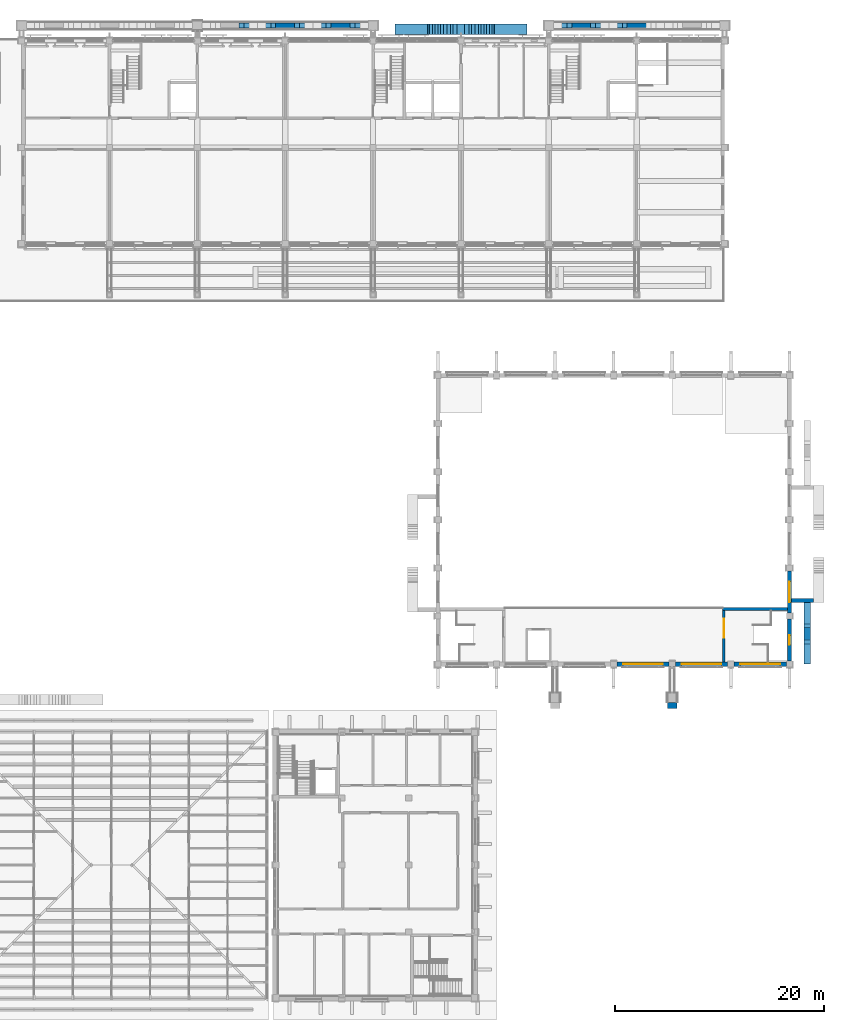
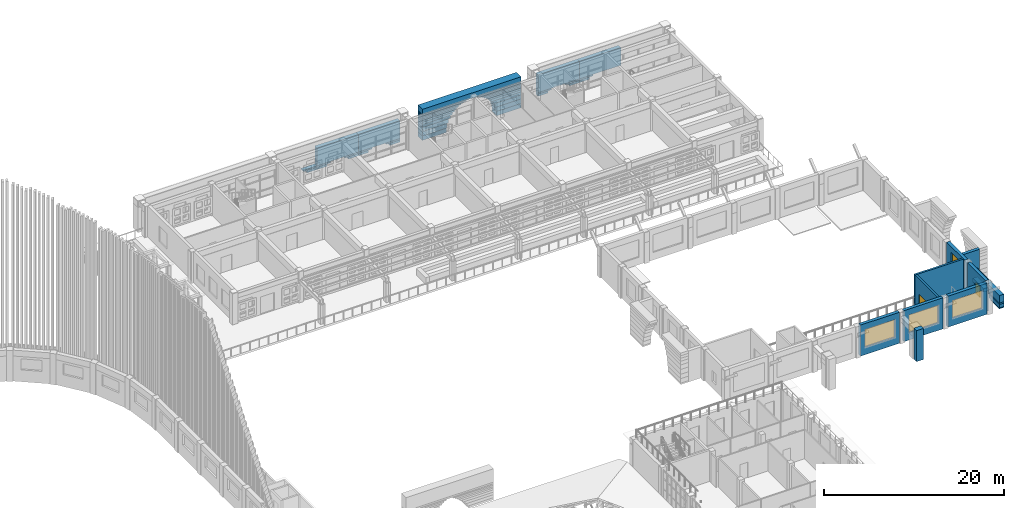
# One storey, part 31 of 68: 60 walls, 5 windows, 1 door, 6 openings.
"""IFC4 building model written with IfcOpenShell, lengths in metres."""

from ifc_helpers import new_model, si_unit, direction, frame, frame_2d, origin, place, context, subcontext, project, spatial, rectangle, extrude, material, layer, layer_set, type_object, element, fill, save


model = new_model("IFC4")

# Units and contexts
model_context = context("Model", 3, precision=1e-05, world=origin(), true_north=direction((0.0, 1.0)))
body_context = subcontext(model_context, "Body", "Model", "MODEL_VIEW")
ifc_project = project(units=[si_unit("LENGTHUNIT", "METRE"), si_unit("AREAUNIT", "SQUARE_METRE"), si_unit("VOLUMEUNIT", "CUBIC_METRE"), si_unit("PLANEANGLEUNIT", "RADIAN"), si_unit("MASSUNIT", "GRAM", prefix="KILO")], contexts=[model_context])

# Site, building, storey
site_placement = place(None, origin())
site = spatial("IfcSite", under=ifc_project, at=site_placement, CompositionType="ELEMENT")
building_placement = place(site_placement, origin())
building = spatial("IfcBuilding", under=site, at=building_placement, Name="Wasatch Bagh Community Centre", CompositionType="ELEMENT")
storey_placement = place(building_placement, frame((0.0, 0.0, 8.39990234375)))
storey = spatial("IfcBuildingStorey", under=building, at=storey_placement, Name="L02", CompositionType="ELEMENT", Elevation=8.39990234375)

# Walls
ifc_material_1 = material(Name="Concrete C40", Category="concrete")
ifc_layer_1 = layer(ifc_material_1, 0.60009765625)
ifc_layer_set_1 = layer_set([ifc_layer_1], Name="Concrete C40")
wall_type_1 = type_object("IfcWallType", Name="CL-W4", PredefinedType="STANDARD", material=ifc_layer_set_1)
wall_1_placement = place(storey_placement, frame((134.14990234375, 34.25, 0.0), z_axis=(0.0, 0.0, 1.0), x_axis=(1.0, 0.0, 0.0)))
element("IfcWall", 1, at=wall_1_placement, inside=storey, type_object=wall_type_1, Name="CL-W4 pier buttress SHP2", PredefinedType="STANDARD", context=body_context, shape_type="SweptSolid", body=[
    extrude(rectangle(XDim=0.900146484375, YDim=0.60009765625, at=frame_2d((0.4501953125, 0.0))), origin(), (0.0, 0.0, 1.0), 4.2001953125),
])
ifc_layer_2 = layer(ifc_material_1, 0.5)
ifc_layer_set_2 = layer_set([ifc_layer_2], Name="Concrete C40")
wall_type_2 = type_object("IfcWallType", Name="LW-W6", PredefinedType="STANDARD", material=ifc_layer_set_2)
wall_2_placement = place(storey_placement, frame((94.949951171875, 99.25, 0.300048828125), z_axis=(0.0, 0.0, 1.0), x_axis=(-1.0, 0.0, 0.0)))
element("IfcWall", 2, at=wall_2_placement, inside=storey, type_object=wall_type_2, Name="LW-W6 arcade arch spandrel", PredefinedType="STANDARD", context=body_context, shape_type="SweptSolid", body=[
    extrude(rectangle(XDim=1.271484375, YDim=0.5, at=frame_2d((0.6357421875, 0.0))), origin(), (0.0, 0.0, 1.0), 0.300048828125),
])
wall_3_placement = place(storey_placement, frame((94.949951171875, 99.25, 0.60009765625), z_axis=(0.0, 0.0, 1.0), x_axis=(-1.0, 0.0, 0.0)))
element("IfcWall", 3, at=wall_3_placement, inside=storey, type_object=wall_type_2, Name="LW-W6 arcade arch spandrel", PredefinedType="STANDARD", context=body_context, shape_type="SweptSolid", body=[
    extrude(rectangle(XDim=1.744384765625, YDim=0.5, at=frame_2d((0.8720703125, 0.0))), origin(), (0.0, 0.0, 1.0), 0.199951171875),
])
wall_4_placement = place(storey_placement, frame((94.949951171875, 99.25, 0.300048828125), z_axis=(0.0, 0.0, 1.0), x_axis=(1.0, 0.0, 0.0)))
element("IfcWall", 4, at=wall_4_placement, inside=storey, type_object=wall_type_2, Name="LW-W6 arcade arch spandrel", PredefinedType="STANDARD", context=body_context, shape_type="SweptSolid", body=[
    extrude(rectangle(XDim=1.271728515625, YDim=0.5, at=frame_2d((0.6357421875, 0.0))), origin(), (0.0, 0.0, 1.0), 0.300048828125),
])
wall_5_placement = place(storey_placement, frame((100.25, 99.25, 0.300048828125), z_axis=(0.0, 0.0, 1.0), x_axis=(-1.0, 0.0, 0.0)))
element("IfcWall", 5, at=wall_5_placement, inside=storey, type_object=wall_type_2, Name="LW-W6 arcade arch spandrel", PredefinedType="STANDARD", context=body_context, shape_type="SweptSolid", body=[
    extrude(rectangle(XDim=1.271484375, YDim=0.5, at=frame_2d((0.6357421875, 0.0))), origin(), (0.0, 0.0, 1.0), 0.300048828125),
])
wall_6_placement = place(storey_placement, frame((94.949951171875, 99.25, 0.60009765625), z_axis=(0.0, 0.0, 1.0), x_axis=(1.0, 0.0, 0.0)))
element("IfcWall", 6, at=wall_6_placement, inside=storey, type_object=wall_type_2, Name="LW-W6 arcade arch spandrel", PredefinedType="STANDARD", context=body_context, shape_type="SweptSolid", body=[
    extrude(rectangle(XDim=1.74462890625, YDim=0.5, at=frame_2d((0.872314453125, 0.0))), origin(), (0.0, 0.0, 1.0), 0.199951171875),
])
wall_7_placement = place(storey_placement, frame((100.25, 99.25, 0.60009765625), z_axis=(0.0, 0.0, 1.0), x_axis=(-1.0, 0.0, 0.0)))
element("IfcWall", 7, at=wall_7_placement, inside=storey, type_object=wall_type_2, Name="LW-W6 arcade arch spandrel", PredefinedType="STANDARD", context=body_context, shape_type="SweptSolid", body=[
    extrude(rectangle(XDim=1.744384765625, YDim=0.5, at=frame_2d((0.8720703125, 0.0))), origin(), (0.0, 0.0, 1.0), 0.199951171875),
])
wall_8_placement = place(storey_placement, frame((94.949951171875, 99.25, 0.800048828125), z_axis=(0.0, 0.0, 1.0), x_axis=(1.0, 0.0, 0.0)))
element("IfcWall", 8, at=wall_8_placement, inside=storey, type_object=wall_type_2, Name="LW-W6 arcade arch band", PredefinedType="STANDARD", context=body_context, shape_type="SweptSolid", body=[
    extrude(rectangle(XDim=5.300048828125, YDim=0.5, at=frame_2d((2.64990234375, 0.0))), origin(), (0.0, 0.0, 1.0), 2.400146484375),
])
wall_9_placement = place(storey_placement, frame((100.25, 99.25, 0.300048828125), z_axis=(0.0, 0.0, 1.0), x_axis=(1.0, 0.0, 0.0)))
element("IfcWall", 9, at=wall_9_placement, inside=storey, type_object=wall_type_2, Name="LW-W6 arcade arch spandrel", PredefinedType="STANDARD", context=body_context, shape_type="SweptSolid", body=[
    extrude(rectangle(XDim=1.271484375, YDim=0.5, at=frame_2d((0.6357421875, 0.0))), origin(), (0.0, 0.0, 1.0), 0.300048828125),
])
wall_10_placement = place(storey_placement, frame((105.550048828125, 99.25, 0.300048828125), z_axis=(0.0, 0.0, 1.0), x_axis=(-1.0, 0.0, 0.0)))
element("IfcWall", 10, at=wall_10_placement, inside=storey, type_object=wall_type_2, Name="LW-W6 arcade arch spandrel", PredefinedType="STANDARD", context=body_context, shape_type="SweptSolid", body=[
    extrude(rectangle(XDim=1.271728515625, YDim=0.5, at=frame_2d((0.6357421875, 0.0))), origin(), (0.0, 0.0, 1.0), 0.300048828125),
])
wall_11_placement = place(storey_placement, frame((100.25, 99.25, 0.60009765625), z_axis=(0.0, 0.0, 1.0), x_axis=(1.0, 0.0, 0.0)))
element("IfcWall", 11, at=wall_11_placement, inside=storey, type_object=wall_type_2, Name="LW-W6 arcade arch spandrel", PredefinedType="STANDARD", context=body_context, shape_type="SweptSolid", body=[
    extrude(rectangle(XDim=1.744384765625, YDim=0.5, at=frame_2d((0.8720703125, 0.0))), origin(), (0.0, 0.0, 1.0), 0.199951171875),
])
wall_12_placement = place(storey_placement, frame((105.550048828125, 99.25, 0.60009765625), z_axis=(0.0, 0.0, 1.0), x_axis=(-1.0, 0.0, 0.0)))
element("IfcWall", 12, at=wall_12_placement, inside=storey, type_object=wall_type_2, Name="LW-W6 arcade arch spandrel", PredefinedType="STANDARD", context=body_context, shape_type="SweptSolid", body=[
    extrude(rectangle(XDim=1.74462890625, YDim=0.5, at=frame_2d((0.872314453125, 0.0))), origin(), (0.0, 0.0, 1.0), 0.199951171875),
])
wall_13_placement = place(storey_placement, frame((100.25, 99.25, 0.800048828125), z_axis=(0.0, 0.0, 1.0), x_axis=(1.0, 0.0, 0.0)))
element("IfcWall", 13, at=wall_13_placement, inside=storey, type_object=wall_type_2, Name="LW-W6 arcade arch band", PredefinedType="STANDARD", context=body_context, shape_type="SweptSolid", body=[
    extrude(rectangle(XDim=5.300048828125, YDim=0.5, at=frame_2d((2.64990234375, 0.0))), origin(), (0.0, 0.0, 1.0), 2.400146484375),
])
wall_14_placement = place(storey_placement, frame((123.25, 99.25, 0.300048828125), z_axis=(0.0, 0.0, 1.0), x_axis=(1.0, 0.0, 0.0)))
element("IfcWall", 14, at=wall_14_placement, inside=storey, type_object=wall_type_2, Name="LW-W6 arcade arch spandrel", PredefinedType="STANDARD", context=body_context, shape_type="SweptSolid", body=[
    extrude(rectangle(XDim=1.271484375, YDim=0.5, at=frame_2d((0.6357421875, 0.0))), origin(), (0.0, 0.0, 1.0), 0.300048828125),
])
wall_15_placement = place(storey_placement, frame((128.550048828125, 99.25, 0.300048828125), z_axis=(0.0, 0.0, 1.0), x_axis=(-1.0, 0.0, 0.0)))
element("IfcWall", 15, at=wall_15_placement, inside=storey, type_object=wall_type_2, Name="LW-W6 arcade arch spandrel", PredefinedType="STANDARD", context=body_context, shape_type="SweptSolid", body=[
    extrude(rectangle(XDim=1.271728515625, YDim=0.5, at=frame_2d((0.6357421875, 0.0))), origin(), (0.0, 0.0, 1.0), 0.300048828125),
])
wall_16_placement = place(storey_placement, frame((123.25, 99.25, 0.60009765625), z_axis=(0.0, 0.0, 1.0), x_axis=(1.0, 0.0, 0.0)))
element("IfcWall", 16, at=wall_16_placement, inside=storey, type_object=wall_type_2, Name="LW-W6 arcade arch spandrel", PredefinedType="STANDARD", context=body_context, shape_type="SweptSolid", body=[
    extrude(rectangle(XDim=1.744384765625, YDim=0.5, at=frame_2d((0.8720703125, 0.0))), origin(), (0.0, 0.0, 1.0), 0.199951171875),
])
wall_17_placement = place(storey_placement, frame((128.550048828125, 99.25, 0.60009765625), z_axis=(0.0, 0.0, 1.0), x_axis=(-1.0, 0.0, 0.0)))
element("IfcWall", 17, at=wall_17_placement, inside=storey, type_object=wall_type_2, Name="LW-W6 arcade arch spandrel", PredefinedType="STANDARD", context=body_context, shape_type="SweptSolid", body=[
    extrude(rectangle(XDim=1.74462890625, YDim=0.5, at=frame_2d((0.872314453125, 0.0))), origin(), (0.0, 0.0, 1.0), 0.199951171875),
])
wall_18_placement = place(storey_placement, frame((123.25, 99.25, 0.800048828125), z_axis=(0.0, 0.0, 1.0), x_axis=(1.0, 0.0, 0.0)))
element("IfcWall", 18, at=wall_18_placement, inside=storey, type_object=wall_type_2, Name="LW-W6 arcade arch band", PredefinedType="STANDARD", context=body_context, shape_type="SweptSolid", body=[
    extrude(rectangle(XDim=5.300048828125, YDim=0.5, at=frame_2d((2.64990234375, 0.0))), origin(), (0.0, 0.0, 1.0), 2.400146484375),
])
wall_19_placement = place(storey_placement, frame((128.550048828125, 99.25, 0.300048828125), z_axis=(0.0, 0.0, 1.0), x_axis=(1.0, 0.0, 0.0)))
element("IfcWall", 19, at=wall_19_placement, inside=storey, type_object=wall_type_2, Name="LW-W6 arcade arch spandrel", PredefinedType="STANDARD", context=body_context, shape_type="SweptSolid", body=[
    extrude(rectangle(XDim=1.271484375, YDim=0.5, at=frame_2d((0.6357421875, 0.0))), origin(), (0.0, 0.0, 1.0), 0.300048828125),
])
wall_20_placement = place(storey_placement, frame((128.550048828125, 99.25, 0.60009765625), z_axis=(0.0, 0.0, 1.0), x_axis=(1.0, 0.0, 0.0)))
element("IfcWall", 20, at=wall_20_placement, inside=storey, type_object=wall_type_2, Name="LW-W6 arcade arch spandrel", PredefinedType="STANDARD", context=body_context, shape_type="SweptSolid", body=[
    extrude(rectangle(XDim=1.744384765625, YDim=0.5, at=frame_2d((0.8720703125, 0.0))), origin(), (0.0, 0.0, 1.0), 0.199951171875),
])
wall_21_placement = place(storey_placement, frame((128.550048828125, 99.25, 0.800048828125), z_axis=(0.0, 0.0, 1.0), x_axis=(1.0, 0.0, 0.0)))
element("IfcWall", 21, at=wall_21_placement, inside=storey, type_object=wall_type_2, Name="LW-W6 arcade arch band", PredefinedType="STANDARD", context=body_context, shape_type="SweptSolid", body=[
    extrude(rectangle(XDim=5.300048828125, YDim=0.5, at=frame_2d((2.64990234375, 0.0))), origin(), (0.0, 0.0, 1.0), 2.400146484375),
])
ifc_layer_3 = layer(ifc_material_1, 1.0)
ifc_layer_set_3 = layer_set([ifc_layer_3], Name="Concrete C40")
wall_type_3 = type_object("IfcWallType", Name="LWPQ-W4", PredefinedType="STANDARD", material=ifc_layer_set_3)
for number, where, z_axis, x_axis, name in (
    (22, (108.10009765625, 98.89990234375, 0.0), (0.0, 0.0, 1.0), (1.0, 0.0, 0.0), "LWPQ-W4 iwan arch spandrel"),
    (23, (120.699951171875, 98.89990234375, 0.0), (0.0, 0.0, 1.0), (-1.0, 0.0, 0.0), "LWPQ-W4 iwan arch spandrel"),
):
    element("IfcWall", number, at=place(storey_placement, frame(where, z_axis=z_axis, x_axis=x_axis)), inside=storey, type_object=wall_type_3, Name=name, PredefinedType="STANDARD", context=body_context, shape_type="SweptSolid", body=[
        extrude(rectangle(XDim=3.099853515625, YDim=1.0, at=frame_2d((1.5498046875, 0.0))), origin(), (0.0, 0.0, 1.0), 0.60009765625),
    ])
for number, where, z_axis, x_axis, name in (
    (24, (108.10009765625, 98.89990234375, 0.60009765625), (0.0, 0.0, 1.0), (1.0, 0.0, 0.0), "LWPQ-W4 iwan arch spandrel"),
    (25, (120.699951171875, 98.89990234375, 0.60009765625), (0.0, 0.0, 1.0), (-1.0, 0.0, 0.0), "LWPQ-W4 iwan arch spandrel"),
):
    element("IfcWall", number, at=place(storey_placement, frame(where, z_axis=z_axis, x_axis=x_axis)), inside=storey, type_object=wall_type_3, Name=name, PredefinedType="STANDARD", context=body_context, shape_type="SweptSolid", body=[
        extrude(rectangle(XDim=3.151611328125, YDim=1.0, at=frame_2d((1.57568359375, 0.0))), origin(), (0.0, 0.0, 1.0), 0.60009765625),
    ])
wall_22_placement = place(storey_placement, frame((108.10009765625, 98.89990234375, 1.2001953125), z_axis=(0.0, 0.0, 1.0), x_axis=(1.0, 0.0, 0.0)))
element("IfcWall", 26, at=wall_22_placement, inside=storey, type_object=wall_type_3, Name="LWPQ-W4 iwan arch spandrel", PredefinedType="STANDARD", context=body_context, shape_type="SweptSolid", body=[
    extrude(rectangle(XDim=3.31103515625, YDim=1.0, at=frame_2d((1.655517578125, 0.0))), origin(), (0.0, 0.0, 1.0), 0.5498046875),
])
wall_23_placement = place(storey_placement, frame((120.699951171875, 98.89990234375, 1.2001953125), z_axis=(0.0, 0.0, 1.0), x_axis=(-1.0, 0.0, 0.0)))
element("IfcWall", 27, at=wall_23_placement, inside=storey, type_object=wall_type_3, Name="LWPQ-W4 iwan arch spandrel", PredefinedType="STANDARD", context=body_context, shape_type="SweptSolid", body=[
    extrude(rectangle(XDim=3.311279296875, YDim=1.0, at=frame_2d((1.65576171875, 0.0))), origin(), (0.0, 0.0, 1.0), 0.5498046875),
])
for number, where, z_axis, x_axis, name in (
    (28, (108.10009765625, 98.89990234375, 1.75), (0.0, 0.0, 1.0), (1.0, 0.0, 0.0), "LWPQ-W4 iwan arch spandrel"),
    (29, (120.699951171875, 98.89990234375, 1.75), (0.0, 0.0, 1.0), (-1.0, 0.0, 0.0), "LWPQ-W4 iwan arch spandrel"),
):
    element("IfcWall", number, at=place(storey_placement, frame(where, z_axis=z_axis, x_axis=x_axis)), inside=storey, type_object=wall_type_3, Name=name, PredefinedType="STANDARD", context=body_context, shape_type="SweptSolid", body=[
        extrude(rectangle(XDim=3.566650390625, YDim=1.0, at=frame_2d((1.783203125, 0.0))), origin(), (0.0, 0.0, 1.0), 0.400146484375),
    ])
for number, where, z_axis, x_axis, name in (
    (30, (108.10009765625, 98.89990234375, 2.150146484375), (0.0, 0.0, 1.0), (1.0, 0.0, 0.0), "LWPQ-W4 iwan arch spandrel"),
    (31, (120.699951171875, 98.89990234375, 2.150146484375), (0.0, 0.0, 1.0), (-1.0, 0.0, 0.0), "LWPQ-W4 iwan arch spandrel"),
):
    element("IfcWall", number, at=place(storey_placement, frame(where, z_axis=z_axis, x_axis=x_axis)), inside=storey, type_object=wall_type_3, Name=name, PredefinedType="STANDARD", context=body_context, shape_type="SweptSolid", body=[
        extrude(rectangle(XDim=3.83447265625, YDim=1.0, at=frame_2d((1.917236328125, 0.0))), origin(), (0.0, 0.0, 1.0), 0.300048828125),
    ])
wall_24_placement = place(storey_placement, frame((108.10009765625, 98.89990234375, 2.4501953125), z_axis=(0.0, 0.0, 1.0), x_axis=(1.0, 0.0, 0.0)))
element("IfcWall", 32, at=wall_24_placement, inside=storey, type_object=wall_type_3, Name="LWPQ-W4 iwan arch spandrel", PredefinedType="STANDARD", context=body_context, shape_type="SweptSolid", body=[
    extrude(rectangle(XDim=4.0947265625, YDim=1.0, at=frame_2d((2.04736328125, 0.0))), origin(), (0.0, 0.0, 1.0), 0.25),
])
wall_25_placement = place(storey_placement, frame((120.699951171875, 98.89990234375, 2.4501953125), z_axis=(0.0, 0.0, 1.0), x_axis=(-1.0, 0.0, 0.0)))
element("IfcWall", 33, at=wall_25_placement, inside=storey, type_object=wall_type_3, Name="LWPQ-W4 iwan arch spandrel", PredefinedType="STANDARD", context=body_context, shape_type="SweptSolid", body=[
    extrude(rectangle(XDim=4.094970703125, YDim=1.0, at=frame_2d((2.04736328125, 0.0))), origin(), (0.0, 0.0, 1.0), 0.25),
])
wall_26_placement = place(storey_placement, frame((108.10009765625, 98.89990234375, 2.7001953125), z_axis=(0.0, 0.0, 1.0), x_axis=(1.0, 0.0, 0.0)))
element("IfcWall", 34, at=wall_26_placement, inside=storey, type_object=wall_type_3, Name="LWPQ-W4 iwan arch spandrel", PredefinedType="STANDARD", context=body_context, shape_type="SweptSolid", body=[
    extrude(rectangle(XDim=4.36474609375, YDim=1.0, at=frame_2d((2.182373046875, 0.0))), origin(), (0.0, 0.0, 1.0), 0.199951171875),
])
wall_27_placement = place(storey_placement, frame((120.699951171875, 98.89990234375, 2.7001953125), z_axis=(0.0, 0.0, 1.0), x_axis=(-1.0, 0.0, 0.0)))
element("IfcWall", 35, at=wall_27_placement, inside=storey, type_object=wall_type_3, Name="LWPQ-W4 iwan arch spandrel", PredefinedType="STANDARD", context=body_context, shape_type="SweptSolid", body=[
    extrude(rectangle(XDim=4.364990234375, YDim=1.0, at=frame_2d((2.1826171875, 0.0))), origin(), (0.0, 0.0, 1.0), 0.199951171875),
])
for number, where, z_axis, x_axis, name in (
    (36, (108.10009765625, 98.89990234375, 2.900146484375), (0.0, 0.0, 1.0), (1.0, 0.0, 0.0), "LWPQ-W4 iwan arch spandrel"),
    (37, (120.699951171875, 98.89990234375, 2.900146484375), (0.0, 0.0, 1.0), (-1.0, 0.0, 0.0), "LWPQ-W4 iwan arch spandrel"),
):
    element("IfcWall", number, at=place(storey_placement, frame(where, z_axis=z_axis, x_axis=x_axis)), inside=storey, type_object=wall_type_3, Name=name, PredefinedType="STANDARD", context=body_context, shape_type="SweptSolid", body=[
        extrude(rectangle(XDim=4.62939453125, YDim=1.0, at=frame_2d((2.314697265625, 0.0))), origin(), (0.0, 0.0, 1.0), 0.199951171875),
    ])
wall_28_placement = place(storey_placement, frame((108.10009765625, 98.89990234375, 3.10009765625), z_axis=(0.0, 0.0, 1.0), x_axis=(1.0, 0.0, 0.0)))
element("IfcWall", 38, at=wall_28_placement, inside=storey, type_object=wall_type_3, Name="LWPQ-W4 iwan arch spandrel", PredefinedType="STANDARD", context=body_context, shape_type="SweptSolid", body=[
    extrude(rectangle(XDim=4.958984375, YDim=1.0, at=frame_2d((2.4794921875, 0.0))), origin(), (0.0, 0.0, 1.0), 0.14990234375),
])
wall_29_placement = place(storey_placement, frame((120.699951171875, 98.89990234375, 3.10009765625), z_axis=(0.0, 0.0, 1.0), x_axis=(-1.0, 0.0, 0.0)))
element("IfcWall", 39, at=wall_29_placement, inside=storey, type_object=wall_type_3, Name="LWPQ-W4 iwan arch spandrel", PredefinedType="STANDARD", context=body_context, shape_type="SweptSolid", body=[
    extrude(rectangle(XDim=4.959228515625, YDim=1.0, at=frame_2d((2.4794921875, 0.0))), origin(), (0.0, 0.0, 1.0), 0.14990234375),
])
for number, where, z_axis, x_axis, name in (
    (40, (108.10009765625, 98.89990234375, 3.25), (0.0, 0.0, 1.0), (1.0, 0.0, 0.0), "LWPQ-W4 iwan arch spandrel"),
    (41, (120.699951171875, 98.89990234375, 3.25), (0.0, 0.0, 1.0), (-1.0, 0.0, 0.0), "LWPQ-W4 iwan arch spandrel"),
):
    element("IfcWall", number, at=place(storey_placement, frame(where, z_axis=z_axis, x_axis=x_axis)), inside=storey, type_object=wall_type_3, Name=name, PredefinedType="STANDARD", context=body_context, shape_type="SweptSolid", body=[
        extrude(rectangle(XDim=5.277587890625, YDim=1.0, at=frame_2d((2.638671875, 0.0))), origin(), (0.0, 0.0, 1.0), 0.10009765625),
    ])
for number, where, z_axis, x_axis, name in (
    (42, (108.10009765625, 98.89990234375, 3.35009765625), (0.0, 0.0, 1.0), (1.0, 0.0, 0.0), "LWPQ-W4 iwan arch spandrel"),
    (43, (120.699951171875, 98.89990234375, 3.35009765625), (0.0, 0.0, 1.0), (-1.0, 0.0, 0.0), "LWPQ-W4 iwan arch spandrel"),
):
    element("IfcWall", number, at=place(storey_placement, frame(where, z_axis=z_axis, x_axis=x_axis)), inside=storey, type_object=wall_type_3, Name=name, PredefinedType="STANDARD", context=body_context, shape_type="SweptSolid", body=[
        extrude(rectangle(XDim=5.552734375, YDim=1.0, at=frame_2d((2.7763671875, 0.0))), origin(), (0.0, 0.0, 1.0), 0.10009765625),
    ])
for number, where, z_axis, x_axis, name in (
    (44, (108.10009765625, 98.89990234375, 3.4501953125), (0.0, 0.0, 1.0), (1.0, 0.0, 0.0), "LWPQ-W4 iwan arch spandrel"),
    (45, (120.699951171875, 98.89990234375, 3.4501953125), (0.0, 0.0, 1.0), (-1.0, 0.0, 0.0), "LWPQ-W4 iwan arch spandrel"),
):
    element("IfcWall", number, at=place(storey_placement, frame(where, z_axis=z_axis, x_axis=x_axis)), inside=storey, type_object=wall_type_3, Name=name, PredefinedType="STANDARD", context=body_context, shape_type="SweptSolid", body=[
        extrude(rectangle(XDim=5.946044921875, YDim=1.0, at=frame_2d((2.97314453125, 0.0))), origin(), (0.0, 0.0, 1.0), 0.0498046875),
    ])
wall_30_placement = place(storey_placement, frame((108.10009765625, 98.89990234375, 3.5), z_axis=(0.0, 0.0, 1.0), x_axis=(1.0, 0.0, 0.0)))
element("IfcWall", 46, at=wall_30_placement, inside=storey, type_object=wall_type_3, Name="LWPQ-W4 iwan arch band", PredefinedType="STANDARD", context=body_context, shape_type="SweptSolid", body=[
    extrude(rectangle(XDim=12.599853515625, YDim=1.0, at=frame_2d((6.2998046875, 0.0))), origin(), (0.0, 0.0, 1.0), 0.7001953125),
])

# Wall, opening, door
ifc_layer_4 = layer(ifc_material_1, 0.25)
ifc_layer_set_4 = layer_set([ifc_layer_4], Name="Concrete C40")
wall_type_4 = type_object("IfcWallType", Name="SH RC WALL 250 shear", PredefinedType="SHEAR", material=ifc_layer_set_4)
wall_31_placement = place(storey_placement, frame((139.52490234375, 38.39990234375, 0.0), z_axis=(0.0, 0.0, 1.0), x_axis=(0.0, 1.0, 0.0)))
wall_31 = element("IfcWall", 47, at=wall_31_placement, inside=storey, type_object=wall_type_4, Name="SH.core.ST2.L02.W", PredefinedType="SHEAR", context=body_context, shape_type="SweptSolid", body=[
    extrude(rectangle(XDim=4.9501953125, YDim=0.25, at=frame_2d((2.47509765625, 0.0))), origin(), (0.0, 0.0, 1.0), 4.2001953125),
])
opening_1_placement = place(wall_31_placement, frame((2.35009765625, 0.0, 0.0)))
opening_1 = element("IfcOpeningElement", 48, at=opening_1_placement, cuts=wall_31, Name="Opening 2S-03", PredefinedType="OPENING", context=body_context, shape_type="SweptSolid", body=[
    extrude(rectangle(XDim=1.800048828125, YDim=2.10009765625, at=frame_2d((0.89990234375, 1.050048828125))), frame((0.0, 0.135009765625, 0.0), z_axis=(0.0, -1.0, 0.0), x_axis=(1.0, 0.0, 0.0)), (0.0, 0.0, 1.0), 0.27001953125),
])
ifc_material_2 = material(Name="Aluminium frame and glass", Category="aluminium")
door_type = type_object("IfcDoorType", Name="SH door 1800x2100 double", OperationType="DOUBLE_DOOR_SINGLE_SWING", PredefinedType="DOOR", material=ifc_material_2)
door_placement = place(opening_1_placement, origin())
door = element("IfcDoor", 49, at=door_placement, inside=storey, type_object=door_type, Name="SH.door.L02.2S-03", OperationType="DOUBLE_DOOR_SINGLE_SWING", OverallHeight=2.10009765625, OverallWidth=1.800048828125, PredefinedType="DOOR", context=body_context, shape_type="SweptSolid", body=[
    extrude(rectangle(XDim=1.800048828125, YDim=2.10009765625, at=frame_2d((0.89990234375, 1.050048828125))), frame((0.0, 0.02490234375, 0.0), z_axis=(0.0, -1.0, 0.0), x_axis=(1.0, 0.0, 0.0)), (0.0, 0.0, 1.0), 0.050048828125),
])
fill(opening_1, door)

# Wall
wall_32_placement = place(storey_placement, frame((139.39990234375, 43.47509765625, 0.0), z_axis=(0.0, 0.0, 1.0), x_axis=(1.0, 0.0, 0.0)))
element("IfcWall", 50, at=wall_32_placement, inside=storey, type_object=wall_type_4, Name="SH.core.ST2.L02.N", PredefinedType="SHEAR", context=body_context, shape_type="SweptSolid", body=[
    extrude(rectangle(XDim=6.2001953125, YDim=0.25, at=frame_2d((3.10009765625, 0.0))), origin(), (0.0, 0.0, 1.0), 4.2001953125),
])

# Wall, opening, window
ifc_layer_5 = layer(ifc_material_1, 0.39990234375)
ifc_layer_set_5 = layer_set([ifc_layer_5], Name="Concrete C40")
wall_type_5 = type_object("IfcWallType", Name="SH RC WALL 400 solidwall", PredefinedType="SOLIDWALL", material=ifc_layer_set_5)
wall_33_placement = place(storey_placement, frame((134.300048828125, 38.199951171875, 0.0), z_axis=(0.0, 0.0, 1.0), x_axis=(-1.0, 0.0, 0.0)))
wall_33 = element("IfcWall", 51, at=wall_33_placement, inside=storey, type_object=wall_type_5, Name="SH.wall.L02.04", PredefinedType="SOLIDWALL", context=body_context, shape_type="SweptSolid", body=[
    extrude(rectangle(XDim=5.0, YDim=0.39990234375, at=frame_2d((2.5, 0.0))), origin(), (0.0, 0.0, 1.0), 4.2001953125),
])
opening_2_placement = place(wall_33_placement, frame((0.60009765625, 0.0, 1.0)))
opening_2 = element("IfcOpeningElement", 52, at=opening_2_placement, cuts=wall_33, Name="Opening 2S-W14", PredefinedType="OPENING", context=body_context, shape_type="SweptSolid", body=[
    extrude(rectangle(XDim=3.800048828125, YDim=2.39990234375, at=frame_2d((1.89990234375, 1.199951171875))), frame((0.0, 0.2099609375, 0.0), z_axis=(0.0, -1.0, 0.0), x_axis=(1.0, 0.0, 0.0)), (0.0, 0.0, 1.0), 0.419921875),
])
ifc_material_3 = material(Name="Aluminium frame with double glazing", Category="aluminium")
window_type_1 = type_object("IfcWindowType", Name="SH window 3800x2400", PartitioningType="SINGLE_PANEL", PredefinedType="WINDOW", material=ifc_material_3)
window_1_placement = place(opening_2_placement, origin())
window_1 = element("IfcWindow", 53, at=window_1_placement, inside=storey, type_object=window_type_1, Name="SH.window.L02.2S-W14", OverallHeight=2.39990234375, OverallWidth=3.800048828125, PartitioningType="SINGLE_PANEL", PredefinedType="WINDOW", context=body_context, shape_type="SweptSolid", body=[
    extrude(rectangle(XDim=3.800048828125, YDim=2.39990234375, at=frame_2d((1.89990234375, 1.199951171875))), frame((0.0, 0.030029296875, 0.0), z_axis=(0.0, -1.0, 0.0), x_axis=(1.0, 0.0, 0.0)), (0.0, 0.0, 1.0), 0.06005859375),
])
fill(opening_2, window_1)

wall_34_placement = place(storey_placement, frame((139.89990234375, 38.199951171875, 0.0), z_axis=(0.0, 0.0, 1.0), x_axis=(-1.0, 0.0, 0.0)))
wall_34 = element("IfcWall", 54, at=wall_34_placement, inside=storey, type_object=wall_type_5, Name="SH.wall.L02.05", PredefinedType="SOLIDWALL", context=body_context, shape_type="SweptSolid", body=[
    extrude(rectangle(XDim=5.0, YDim=0.39990234375, at=frame_2d((2.5, 0.0))), origin(), (0.0, 0.0, 1.0), 4.2001953125),
])
opening_3_placement = place(wall_34_placement, frame((0.60009765625, 0.0, 1.0)))
opening_3 = element("IfcOpeningElement", 55, at=opening_3_placement, cuts=wall_34, Name="Opening 2S-W15", PredefinedType="OPENING", context=body_context, shape_type="SweptSolid", body=[
    extrude(rectangle(XDim=3.800048828125, YDim=2.39990234375, at=frame_2d((1.89990234375, 1.199951171875))), frame((0.0, 0.2099609375, 0.0), z_axis=(0.0, -1.0, 0.0), x_axis=(1.0, 0.0, 0.0)), (0.0, 0.0, 1.0), 0.419921875),
])
window_2_placement = place(opening_3_placement, origin())
window_2 = element("IfcWindow", 56, at=window_2_placement, inside=storey, type_object=window_type_1, Name="SH.window.L02.2S-W15", OverallHeight=2.39990234375, OverallWidth=3.800048828125, PartitioningType="SINGLE_PANEL", PredefinedType="WINDOW", context=body_context, shape_type="SweptSolid", body=[
    extrude(rectangle(XDim=3.800048828125, YDim=2.39990234375, at=frame_2d((1.89990234375, 1.199951171875))), frame((0.0, 0.030029296875, 0.0), z_axis=(0.0, -1.0, 0.0), x_axis=(1.0, 0.0, 0.0)), (0.0, 0.0, 1.0), 0.06005859375),
])
fill(opening_3, window_2)

wall_35_placement = place(storey_placement, frame((145.5, 38.199951171875, 0.0), z_axis=(0.0, 0.0, 1.0), x_axis=(-1.0, 0.0, 0.0)))
wall_35 = element("IfcWall", 57, at=wall_35_placement, inside=storey, type_object=wall_type_5, Name="SH.wall.L02.06", PredefinedType="SOLIDWALL", context=body_context, shape_type="SweptSolid", body=[
    extrude(rectangle(XDim=5.0, YDim=0.39990234375, at=frame_2d((2.5, 0.0))), origin(), (0.0, 0.0, 1.0), 4.2001953125),
])
opening_4_placement = place(wall_35_placement, frame((0.60009765625, 0.0, 1.0)))
opening_4 = element("IfcOpeningElement", 58, at=opening_4_placement, cuts=wall_35, Name="Opening 2S-W16", PredefinedType="OPENING", context=body_context, shape_type="SweptSolid", body=[
    extrude(rectangle(XDim=3.800048828125, YDim=2.39990234375, at=frame_2d((1.89990234375, 1.199951171875))), frame((0.0, 0.2099609375, 0.0), z_axis=(0.0, -1.0, 0.0), x_axis=(1.0, 0.0, 0.0)), (0.0, 0.0, 1.0), 0.419921875),
])
window_3_placement = place(opening_4_placement, origin())
window_3 = element("IfcWindow", 59, at=window_3_placement, inside=storey, type_object=window_type_1, Name="SH.window.L02.2S-W16", OverallHeight=2.39990234375, OverallWidth=3.800048828125, PartitioningType="SINGLE_PANEL", PredefinedType="WINDOW", context=body_context, shape_type="SweptSolid", body=[
    extrude(rectangle(XDim=3.800048828125, YDim=2.39990234375, at=frame_2d((1.89990234375, 1.199951171875))), frame((0.0, 0.030029296875, 0.0), z_axis=(0.0, -1.0, 0.0), x_axis=(1.0, 0.0, 0.0)), (0.0, 0.0, 1.0), 0.06005859375),
])
fill(opening_4, window_3)

wall_36_placement = place(storey_placement, frame((145.800048828125, 38.5, 0.0), z_axis=(0.0, 0.0, 1.0), x_axis=(0.0, 1.0, 0.0)))
wall_36 = element("IfcWall", 60, at=wall_36_placement, inside=storey, type_object=wall_type_5, Name="SH.wall.L02.19", PredefinedType="SOLIDWALL", context=body_context, shape_type="SweptSolid", body=[
    extrude(rectangle(XDim=4.0, YDim=0.39990234375, at=frame_2d((2.0, 0.0))), origin(), (0.0, 0.0, 1.0), 4.2001953125),
])
opening_5_placement = place(wall_36_placement, frame((1.550048828125, 0.0, 0.89990234375)))
opening_5 = element("IfcOpeningElement", 61, at=opening_5_placement, cuts=wall_36, Name="Opening 2S-W02", PredefinedType="OPENING", context=body_context, shape_type="SweptSolid", body=[
    extrude(rectangle(XDim=0.89990234375, YDim=1.5, at=frame_2d((0.449951171875, 0.75))), frame((0.0, 0.2099609375, 0.0), z_axis=(0.0, -1.0, 0.0), x_axis=(1.0, 0.0, 0.0)), (0.0, 0.0, 1.0), 0.419921875),
])
window_type_2 = type_object("IfcWindowType", Name="SH window 900x1500", PartitioningType="SINGLE_PANEL", PredefinedType="WINDOW", material=ifc_material_3)
window_4_placement = place(opening_5_placement, origin())
window_4 = element("IfcWindow", 62, at=window_4_placement, inside=storey, type_object=window_type_2, Name="SH.window.L02.2S-W02", OverallHeight=1.5, OverallWidth=0.89990234375, PartitioningType="SINGLE_PANEL", PredefinedType="WINDOW", context=body_context, shape_type="SweptSolid", body=[
    extrude(rectangle(XDim=0.89990234375, YDim=1.5, at=frame_2d((0.449951171875, 0.75))), frame((0.0, 0.030029296875, 0.0), z_axis=(0.0, -1.0, 0.0), x_axis=(1.0, 0.0, 0.0)), (0.0, 0.0, 1.0), 0.06005859375),
])
fill(opening_5, window_4)

wall_37_placement = place(storey_placement, frame((145.800048828125, 43.10009765625, 0.0), z_axis=(0.0, 0.0, 1.0), x_axis=(0.0, 1.0, 0.0)))
wall_37 = element("IfcWall", 63, at=wall_37_placement, inside=storey, type_object=wall_type_5, Name="SH.wall.L02.20", PredefinedType="SOLIDWALL", context=body_context, shape_type="SweptSolid", body=[
    extrude(rectangle(XDim=4.0, YDim=0.39990234375, at=frame_2d((2.0, 0.0))), origin(), (0.0, 0.0, 1.0), 4.2001953125),
])
opening_6_placement = place(wall_37_placement, frame((1.0, 0.0, 1.0)))
opening_6 = element("IfcOpeningElement", 64, at=opening_6_placement, cuts=wall_37, Name="Opening 2S-W07", PredefinedType="OPENING", context=body_context, shape_type="SweptSolid", body=[
    extrude(rectangle(XDim=2.0, YDim=2.39990234375, at=frame_2d((1.0, 1.199951171875))), frame((0.0, 0.2099609375, 0.0), z_axis=(0.0, -1.0, 0.0), x_axis=(1.0, 0.0, 0.0)), (0.0, 0.0, 1.0), 0.419921875),
])
window_type_3 = type_object("IfcWindowType", Name="SH window 2000x2400", PartitioningType="SINGLE_PANEL", PredefinedType="WINDOW", material=ifc_material_3)
window_5_placement = place(opening_6_placement, origin())
window_5 = element("IfcWindow", 65, at=window_5_placement, inside=storey, type_object=window_type_3, Name="SH.window.L02.2S-W07", OverallHeight=2.39990234375, OverallWidth=2.0, PartitioningType="SINGLE_PANEL", PredefinedType="WINDOW", context=body_context, shape_type="SweptSolid", body=[
    extrude(rectangle(XDim=2.0, YDim=2.39990234375, at=frame_2d((1.0, 1.199951171875))), frame((0.0, 0.030029296875, 0.0), z_axis=(0.0, -1.0, 0.0), x_axis=(1.0, 0.0, 0.0)), (0.0, 0.0, 1.0), 0.06005859375),
])
fill(opening_6, window_5)

# Walls
ifc_layer_6 = layer(ifc_material_1, 0.60009765625)
ifc_layer_set_6 = layer_set([ifc_layer_6], Name="Concrete C40")
wall_type_6 = type_object("IfcWallType", Name="SHB-W4", PredefinedType="STANDARD", material=ifc_layer_set_6)
wall_38_placement = place(storey_placement, frame((147.5, 38.199951171875, 0.0), z_axis=(0.0, 0.0, 1.0), x_axis=(0.0, 1.0, 0.0)))
element("IfcWall", 66, at=wall_38_placement, inside=storey, type_object=wall_type_6, Name="SHB-W4 gable arcade bay arch spandrel", PredefinedType="STANDARD", context=body_context, shape_type="SweptSolid", body=[
    extrude(rectangle(XDim=1.953369140625, YDim=0.60009765625, at=frame_2d((0.9765625, 0.0))), origin(), (0.0, 0.0, 1.0), 0.150146484375),
])
wall_39_placement = place(storey_placement, frame((147.5, 44.10009765625, 0.0), z_axis=(0.0, 0.0, 1.0), x_axis=(0.0, -1.0, 0.0)))
element("IfcWall", 67, at=wall_39_placement, inside=storey, type_object=wall_type_6, Name="SHB-W4 gable arcade bay arch spandrel", PredefinedType="STANDARD", context=body_context, shape_type="SweptSolid", body=[
    extrude(rectangle(XDim=2.053466796875, YDim=0.60009765625, at=frame_2d((1.02685546875, 0.0))), origin(), (0.0, 0.0, 1.0), 0.150146484375),
])
wall_40_placement = place(storey_placement, frame((147.5, 38.199951171875, 0.150146484375), z_axis=(0.0, 0.0, 1.0), x_axis=(0.0, 1.0, 0.0)))
element("IfcWall", 68, at=wall_40_placement, inside=storey, type_object=wall_type_6, Name="SHB-W4 gable arcade bay arch spandrel", PredefinedType="STANDARD", context=body_context, shape_type="SweptSolid", body=[
    extrude(rectangle(XDim=2.315185546875, YDim=0.60009765625, at=frame_2d((1.15771484375, 0.0))), origin(), (0.0, 0.0, 1.0), 0.449951171875),
])
wall_41_placement = place(storey_placement, frame((147.5, 44.10009765625, 0.150146484375), z_axis=(0.0, 0.0, 1.0), x_axis=(0.0, -1.0, 0.0)))
element("IfcWall", 69, at=wall_41_placement, inside=storey, type_object=wall_type_6, Name="SHB-W4 gable arcade bay arch spandrel", PredefinedType="STANDARD", context=body_context, shape_type="SweptSolid", body=[
    extrude(rectangle(XDim=2.4150390625, YDim=0.60009765625, at=frame_2d((1.20751953125, 0.0))), origin(), (0.0, 0.0, 1.0), 0.449951171875),
])
wall_42_placement = place(storey_placement, frame((147.5, 38.199951171875, 0.60009765625), z_axis=(0.0, 0.0, 1.0), x_axis=(0.0, 1.0, 0.0)))
element("IfcWall", 70, at=wall_42_placement, inside=storey, type_object=wall_type_6, Name="SHB-W4 gable arcade bay arch spandrel", PredefinedType="STANDARD", context=body_context, shape_type="SweptSolid", body=[
    extrude(rectangle(XDim=5.900146484375, YDim=0.60009765625, at=frame_2d((2.9501953125, 0.0))), origin(), (0.0, 0.0, 1.0), 0.199951171875),
])
wall_43_placement = place(storey_placement, frame((147.5, 38.199951171875, 0.800048828125), z_axis=(0.0, 0.0, 1.0), x_axis=(0.0, 1.0, 0.0)))
element("IfcWall", 71, at=wall_43_placement, inside=storey, type_object=wall_type_6, Name="SHB-W4 gable arcade bay arch band", PredefinedType="STANDARD", context=body_context, shape_type="SweptSolid", body=[
    extrude(rectangle(XDim=5.900146484375, YDim=0.60009765625, at=frame_2d((2.9501953125, 0.0))), origin(), (0.0, 0.0, 1.0), 1.0),
])
ifc_layer_7 = layer(ifc_material_1, 0.39990234375)
ifc_layer_set_7 = layer_set([ifc_layer_7], Name="Concrete C40")
wall_type_7 = type_object("IfcWallType", Name="SHEQ-W5", PredefinedType="STANDARD", material=ifc_layer_set_7)
wall_44_placement = place(storey_placement, frame((148.10009765625, 44.300048828125, 0.0), z_axis=(0.0, 0.0, 1.0), x_axis=(-1.0, 0.0, 0.0)))
element("IfcWall", 72, at=wall_44_placement, inside=storey, type_object=wall_type_7, Name="SHEQ-W5 pishtaq return wall E", PredefinedType="STANDARD", context=body_context, shape_type="SweptSolid", body=[
    extrude(rectangle(XDim=2.10009765625, YDim=0.39990234375, at=frame_2d((1.050048828125, 0.0))), origin(), (0.0, 0.0, 1.0), 4.2001953125),
])

save(model, "model.ifc")
